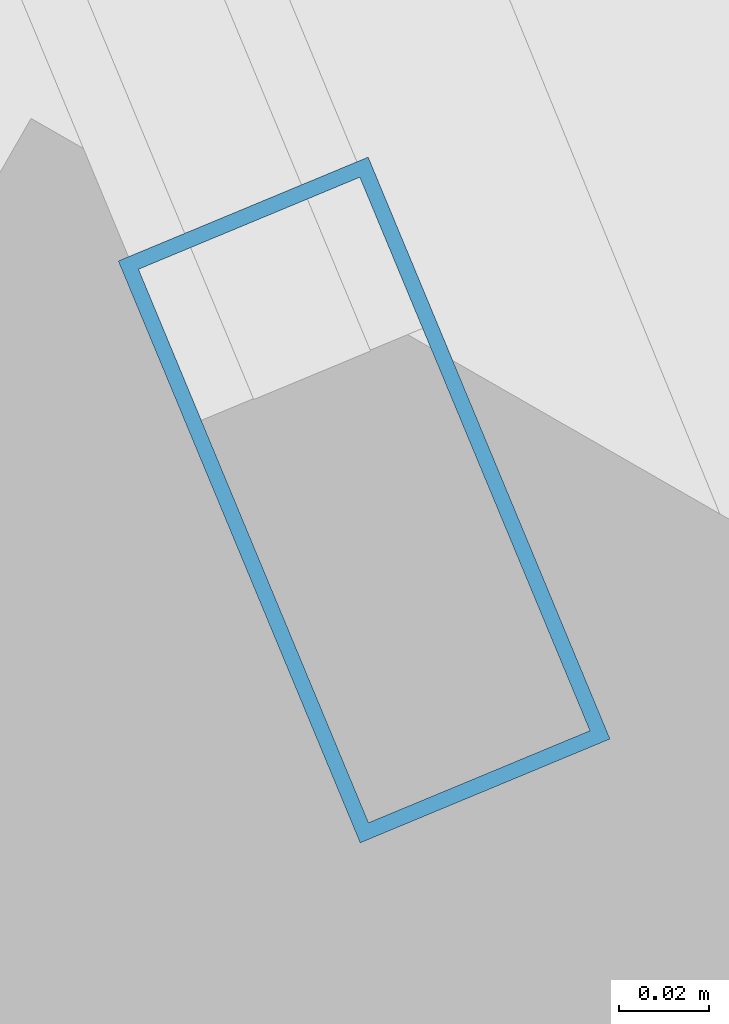
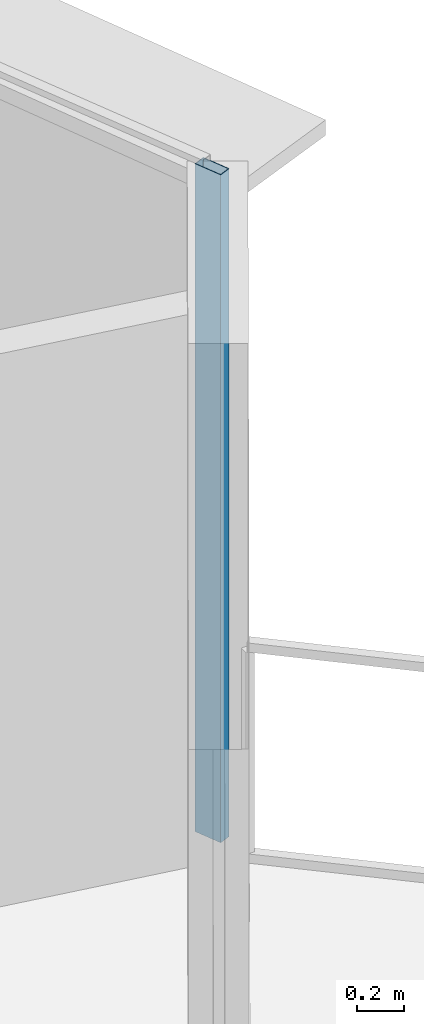
# One storey, part 16 of 33: 1 member, 1 element without a shape of its own.
"""IFC4 building model written with IfcOpenShell, lengths in metres."""

from ifc_helpers import new_model, si_unit, direction, frame, origin, origin_2d, place, context, subcontext, project, spatial, hollow_rectangle, extrude, source, transform, mapped, material, layer, layer_set, material_profile, profile_set, type_object, element, aggregate, save


model = new_model("IFC4")

# Units and contexts
model_context = context("Model", 3, precision=1e-05, world=origin(), true_north=direction((0.0, 1.0)))
body_context = subcontext(model_context, "Body", "Model", "MODEL_VIEW")
ifc_project = project(units=[si_unit("LENGTHUNIT", "METRE"), si_unit("AREAUNIT", "SQUARE_METRE"), si_unit("VOLUMEUNIT", "CUBIC_METRE"), si_unit("PLANEANGLEUNIT", "RADIAN"), si_unit("MASSUNIT", "GRAM", prefix="KILO"), si_unit("THERMODYNAMICTEMPERATUREUNIT", "KELVIN"), si_unit("POWERUNIT", "WATT")], contexts=[model_context])

# Site, building, storey
site_placement = place(None, origin())
site = spatial("IfcSite", under=ifc_project, at=site_placement, CompositionType="ELEMENT")
building_placement = place(site_placement, origin())
building = spatial("IfcBuilding", under=site, at=building_placement, Name="Yunzhuo Pagoda Commons", CompositionType="ELEMENT")
storey_placement = place(building_placement, frame((0.0, 0.0, 325.510009765625)))
storey = spatial("IfcBuildingStorey", under=building, at=storey_placement, Name="L81", CompositionType="ELEMENT", Elevation=325.510009765625)

# Curtain wall, member
ifc_material = material(Name="Anodized aluminium 6063-T6", Category="aluminium")
ifc_layer = layer(ifc_material, 0.139892578125)
ifc_layer_set = layer_set([ifc_layer], Name="Anodized aluminium 6063-T6")
curtain_wall_type = type_object("IfcCurtainWallType", Name="CW-HI High-Zone Ribbon Curtain Wall", PredefinedType="NOTDEFINED", material=ifc_layer_set)
curtain_wall_placement = place(storey_placement, origin())
curtain_wall = element("IfcCurtainWall", 1, at=curtain_wall_placement, inside=storey, type_object=curtain_wall_type, Name="L81 curtain wall CW-L81-F2B2", PredefinedType="NOTDEFINED")
ifc_material_profile = material_profile(ifc_material, hollow_rectangle(XDim=0.06005859375, YDim=0.139892578125, WallThickness=0.00341796875, at=origin_2d()), Name="Anodized aluminium 6063-T6")
ifc_profile_set = profile_set([ifc_material_profile], Name="Anodized aluminium 6063-T6")
member_type = type_object("IfcMemberType", Name="CW-HI-M Mullion RHS 140x60x3.5", PredefinedType="MULLION", material=ifc_profile_set)
shared_shape = source(origin(), body_context, "Body", "SweptSolid", [
    extrude(hollow_rectangle(XDim=0.06005859375, YDim=0.139892578125, WallThickness=0.00341796875, at=origin_2d()), origin(), (0.0, 0.0, 1.0), 3.489990234375),
])
member_placement = place(storey_placement, frame((76.91650390625, 28.718994140625, 0.0), z_axis=(0.0, 0.0, 1.0), x_axis=(-0.923407166951, -0.383821838909, 0.0)))
member = element("IfcMember", 2, at=member_placement, type_object=member_type, Name="CW mullion 1", PredefinedType="MULLION", context=body_context, shape_type="MappedRepresentation", body=[
    mapped(shared_shape, transform((0.0, 0.0, 0.0), scale=1.0)),
])
aggregate(curtain_wall, [member])

save(model, "model.ifc")
